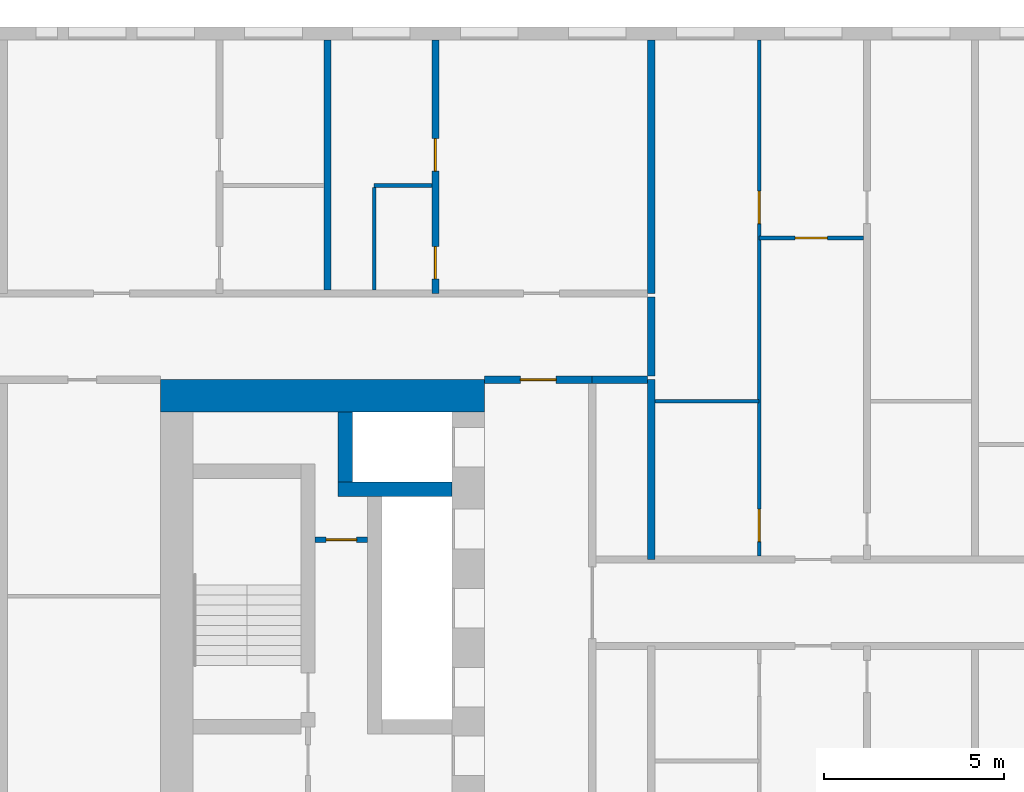
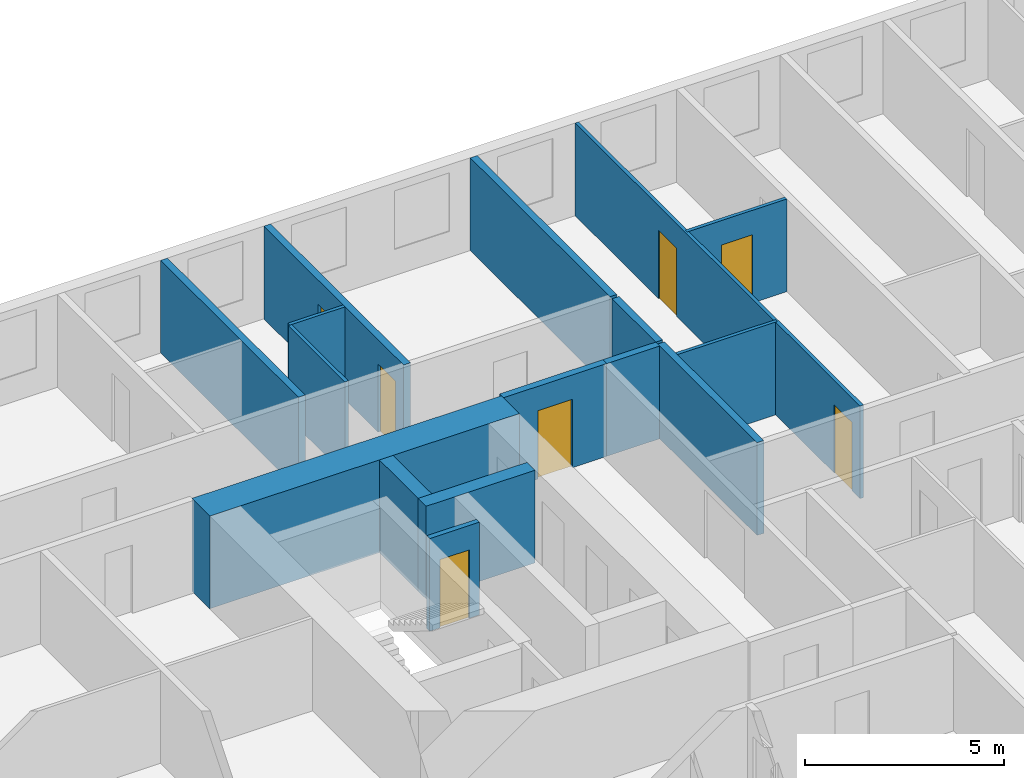
# One storey, part 5 of 17: 16 walls, 7 doors, 7 openings.
"""IFC4 building model written with IfcOpenShell, lengths in metres."""

from ifc_helpers import new_model, si_unit, direction, frame, frame_2d, origin, place, context, subcontext, project, spatial, rectangle, extrude, material, layer, layer_set, type_object, element, fill, save


model = new_model("IFC4")

# Units and contexts
model_context = context("Model", 3, precision=1e-05, world=origin(), true_north=direction((0.0, 1.0)))
body_context = subcontext(model_context, "Body", "Model", "MODEL_VIEW")
ifc_project = project(units=[si_unit("LENGTHUNIT", "METRE"), si_unit("AREAUNIT", "SQUARE_METRE"), si_unit("VOLUMEUNIT", "CUBIC_METRE"), si_unit("PLANEANGLEUNIT", "RADIAN"), si_unit("MASSUNIT", "GRAM", prefix="KILO")], contexts=[model_context])

# Site, building, storey
site_placement = place(None, origin())
site = spatial("IfcSite", under=ifc_project, at=site_placement, CompositionType="ELEMENT")
building_placement = place(site_placement, origin())
building = spatial("IfcBuilding", under=site, at=building_placement, Name="Tuart Gate Housing", CompositionType="ELEMENT")
storey_placement = place(building_placement, frame((0.0, 0.0, 22.60009765625)))
storey = spatial("IfcBuildingStorey", under=building, at=storey_placement, Name="L05", CompositionType="ELEMENT", Elevation=22.60009765625)

# Wall, opening, door
ifc_material_1 = material(Name="Plasterboard partition")
ifc_layer_1 = layer(ifc_material_1, 0.14990234375)
ifc_layer_set_1 = layer_set([ifc_layer_1], Name="Core partition 150")
wall_type_1 = type_object("IfcWallType", Name="Core partition 150", PredefinedType="PARTITIONING", material=ifc_layer_set_1)
wall_1_placement = place(storey_placement, frame((38.110107421875, 71.75, 0.0), z_axis=(0.0, 0.0, 1.0), x_axis=(-1.0, 0.0, 0.0)))
wall_1 = element("IfcWall", 1, at=wall_1_placement, inside=storey, type_object=wall_type_1, Name="Core partition AK.3", PredefinedType="PARTITIONING", context=body_context, shape_type="SweptSolid", body=[
    extrude(rectangle(XDim=1.4501953125, YDim=0.14990234375, at=frame_2d((0.72509765625, 0.0))), origin(), (0.0, 0.0, 1.0), 2.849853515625),
])
opening_1_placement = place(wall_1_placement, frame((0.300048828125, 0.0, 0.0)))
opening_1 = element("IfcOpeningElement", 2, at=opening_1_placement, cuts=wall_1, Name="Opening D369", PredefinedType="OPENING", context=body_context, shape_type="SweptSolid", body=[
    extrude(rectangle(XDim=0.85009765625, YDim=2.10009765625, at=frame_2d((0.425048828125, 1.050048828125))), frame((0.0, 0.0849609375, 0.0), z_axis=(0.0, -1.0, 0.0), x_axis=(1.0, 0.0, 0.0)), (0.0, 0.0, 1.0), 0.169921875),
])
ifc_material_2 = material(Name="Steel fire door", Category="steel")
door_type_1 = type_object("IfcDoorType", Name="Riser door 850 x 2100 RH", OperationType="SINGLE_SWING_RIGHT", PredefinedType="DOOR", material=ifc_material_2)
door_1_placement = place(opening_1_placement, frame((0.85009765625, 0.0, 0.0), z_axis=(0.0, 0.0, 1.0), x_axis=(-1.0, 0.0, 0.0)))
door_1 = element("IfcDoor", 3, at=door_1_placement, inside=storey, type_object=door_type_1, Name="Service room door AK.E1", OperationType="SINGLE_SWING_RIGHT", OverallHeight=2.10009765625, OverallWidth=0.85009765625, PredefinedType="DOOR", context=body_context, shape_type="SweptSolid", body=[
    extrude(rectangle(XDim=0.85009765625, YDim=2.10009765625, at=frame_2d((0.425048828125, 1.050048828125))), frame((0.0, 0.025146484375, 0.0), z_axis=(0.0, -1.0, 0.0), x_axis=(1.0, 0.0, 0.0)), (0.0, 0.0, 1.0), 0.050048828125),
])
fill(opening_1, door_1)

# Walls
ifc_material_3 = material(Name="Concrete C60", Category="concrete")
ifc_layer_2 = layer(ifc_material_3, 0.39990234375)
ifc_layer_set_2 = layer_set([ifc_layer_2], Name="Core wall 400 C60")
wall_type_2 = type_object("IfcWallType", Name="Core wall 400 C60", PredefinedType="SHEAR", material=ifc_layer_set_2)
wall_2_placement = place(storey_placement, frame((40.4599609375, 73.14990234375, 0.0), z_axis=(0.0, 0.0, 1.0), x_axis=(-1.0, 0.0, 0.0)))
element("IfcWall", 4, at=wall_2_placement, inside=storey, type_object=wall_type_2, Name="Core wall AK.2", PredefinedType="SHEAR", context=body_context, shape_type="SweptSolid", body=[
    extrude(rectangle(XDim=3.169921875, YDim=0.39990234375, at=frame_2d((1.5849609375, 0.0))), origin(), (0.0, 0.0, 1.0), 2.849853515625),
])
wall_3_placement = place(storey_placement, frame((37.489990234375, 75.300048828125, 0.0), z_axis=(0.0, 0.0, 1.0), x_axis=(0.0, -1.0, 0.0)))
element("IfcWall", 5, at=wall_3_placement, inside=storey, type_object=wall_type_2, Name="Core wall AK.7", PredefinedType="SHEAR", context=body_context, shape_type="SweptSolid", body=[
    extrude(rectangle(XDim=1.949951171875, YDim=0.39990234375, at=frame_2d((0.97509765625, 0.0))), origin(), (0.0, 0.0, 1.0), 2.849853515625),
])
ifc_material_4 = material(Name="Concrete C60", Category="concrete")
ifc_layer_3 = layer(ifc_material_4, 0.89990234375)
ifc_layer_set_3 = layer_set([ifc_layer_3], Name="Core wall 900 C60")
wall_type_3 = type_object("IfcWallType", Name="Core wall 900 C60", PredefinedType="SHEAR", material=ifc_layer_set_3)
wall_4_placement = place(storey_placement, frame((41.360107421875, 75.75, 0.0), z_axis=(0.0, 0.0, 1.0), x_axis=(-1.0, 0.0, 0.0)))
element("IfcWall", 6, at=wall_4_placement, inside=storey, type_object=wall_type_3, Name="Core wall AK south", PredefinedType="SHEAR", context=body_context, shape_type="SweptSolid", body=[
    extrude(rectangle(XDim=9.0, YDim=0.89990234375, at=frame_2d((4.5, 0.0))), origin(), (0.0, 0.0, 1.0), 2.849853515625),
])
ifc_material_5 = material(Name="Concrete masonry 15 MPa", Category="masonry")
ifc_layer_4 = layer(ifc_material_5, 0.199951171875)
ifc_layer_set_4 = layer_set([ifc_layer_4], Name="Corridor wall masonry 200")
wall_type_4 = type_object("IfcWallType", Name="Corridor wall masonry 200", PredefinedType="PARTITIONING", material=ifc_layer_set_4)
wall_5_placement = place(storey_placement, frame((44.360107421875, 76.199951171875, 0.0), z_axis=(0.0, 0.0, 1.0), x_axis=(1.0, 0.0, 0.0)))
element("IfcWall", 7, at=wall_5_placement, inside=storey, type_object=wall_type_4, Name="Corridor wall masonry 200", PredefinedType="PARTITIONING", context=body_context, shape_type="SweptSolid", body=[
    extrude(rectangle(XDim=1.539794921875, YDim=0.199951171875, at=frame_2d((0.77001953125, 0.0))), origin(), (0.0, 0.0, 1.0), 2.849853515625),
])
wall_6_placement = place(storey_placement, frame((46.0, 76.300048828125, 0.0), z_axis=(0.0, 0.0, 1.0), x_axis=(0.0, 1.0, 0.0)))
element("IfcWall", 8, at=wall_6_placement, inside=storey, type_object=wall_type_4, Name="Corridor wall masonry 200", PredefinedType="PARTITIONING", context=body_context, shape_type="SweptSolid", body=[
    extrude(rectangle(XDim=2.199951171875, YDim=0.199951171875, at=frame_2d((1.10009765625, 0.0))), origin(), (0.0, 0.0, 1.0), 2.849853515625),
])

# Wall, opening, door
ifc_material_6 = material(Name="Concrete masonry 15 MPa", Category="masonry")
ifc_layer_5 = layer(ifc_material_6, 0.199951171875)
ifc_layer_set_5 = layer_set([ifc_layer_5], Name="Enclosure wall masonry 200")
wall_type_5 = type_object("IfcWallType", Name="Enclosure wall masonry 200", PredefinedType="PARTITIONING", material=ifc_layer_set_5)
wall_7_placement = place(storey_placement, frame((41.360107421875, 76.199951171875, 0.0), z_axis=(0.0, 0.0, 1.0), x_axis=(1.0, 0.0, 0.0)))
wall_7 = element("IfcWall", 9, at=wall_7_placement, inside=storey, type_object=wall_type_5, Name="Enclosure wall masonry 200", PredefinedType="PARTITIONING", context=body_context, shape_type="SweptSolid", body=[
    extrude(rectangle(XDim=3.0, YDim=0.199951171875, at=frame_2d((1.5, 0.0))), origin(), (0.0, 0.0, 1.0), 2.849853515625),
])
opening_2_placement = place(wall_7_placement, frame((1.0, 0.0, 0.0)))
opening_2 = element("IfcOpeningElement", 10, at=opening_2_placement, cuts=wall_7, Name="Opening D366", PredefinedType="OPENING", context=body_context, shape_type="SweptSolid", body=[
    extrude(rectangle(XDim=1.0, YDim=2.10009765625, at=frame_2d((0.5, 1.050048828125))), frame((0.0, 0.10986328125, 0.0), z_axis=(0.0, -1.0, 0.0), x_axis=(1.0, 0.0, 0.0)), (0.0, 0.0, 1.0), 0.219970703125),
])
ifc_material_7 = material(Name="Timber door leaf in steel frame", Category="steel")
door_type_2 = type_object("IfcDoorType", Name="Fire door 1000 RH", OperationType="SINGLE_SWING_RIGHT", PredefinedType="DOOR", material=ifc_material_7)
door_2_placement = place(opening_2_placement, origin())
door_2 = element("IfcDoor", 11, at=door_2_placement, inside=storey, type_object=door_type_2, Name="Fire door", OperationType="SINGLE_SWING_RIGHT", OverallHeight=2.10009765625, OverallWidth=1.0, PredefinedType="DOOR", context=body_context, shape_type="SweptSolid", body=[
    extrude(rectangle(XDim=1.0, YDim=2.10009765625, at=frame_2d((0.5, 1.050048828125))), frame((0.0, 0.02490234375, 0.0), z_axis=(0.0, -1.0, 0.0), x_axis=(1.0, 0.0, 0.0)), (0.0, 0.0, 1.0), 0.050048828125),
])
fill(opening_2, door_2)

# Wall
ifc_material_8 = material(Name="Gypsum board on steel studs", Category="steel")
ifc_layer_6 = layer(ifc_material_8, 0.10009765625)
ifc_layer_set_6 = layer_set([ifc_layer_6], Name="Partition 100")
wall_type_6 = type_object("IfcWallType", Name="Partition 100", PredefinedType="PARTITIONING", material=ifc_layer_set_6)
wall_8_placement = place(storey_placement, frame((46.10009765625, 75.60009765625, 0.0), z_axis=(0.0, 0.0, 1.0), x_axis=(1.0, 0.0, 0.0)))
element("IfcWall", 12, at=wall_8_placement, inside=storey, type_object=wall_type_6, Name="Partition 100", PredefinedType="PARTITIONING", context=body_context, shape_type="SweptSolid", body=[
    extrude(rectangle(XDim=2.89990234375, YDim=0.10009765625, at=frame_2d((1.449951171875, 0.0))), origin(), (0.0, 0.0, 1.0), 2.849853515625),
])

# Wall, opening, door
wall_9_placement = place(storey_placement, frame((49.0, 80.139892578125, 0.0), z_axis=(0.0, 0.0, 1.0), x_axis=(1.0, 0.0, 0.0)))
wall_9 = element("IfcWall", 13, at=wall_9_placement, inside=storey, type_object=wall_type_6, Name="Partition 100", PredefinedType="PARTITIONING", context=body_context, shape_type="SweptSolid", body=[
    extrude(rectangle(XDim=2.89990234375, YDim=0.10009765625, at=frame_2d((1.449951171875, 0.0))), origin(), (0.0, 0.0, 1.0), 2.849853515625),
])
opening_3_placement = place(wall_9_placement, frame((1.0, 0.0, 0.0)))
opening_3 = element("IfcOpeningElement", 14, at=opening_3_placement, cuts=wall_9, Name="Opening D349", PredefinedType="OPENING", context=body_context, shape_type="SweptSolid", body=[
    extrude(rectangle(XDim=0.89990234375, YDim=2.10009765625, at=frame_2d((0.449951171875, 1.050048828125))), frame((0.0, 0.06005859375, 0.0), z_axis=(0.0, -1.0, 0.0), x_axis=(1.0, 0.0, 0.0)), (0.0, 0.0, 1.0), 0.1201171875),
])
ifc_material_9 = material(Name="Timber door leaf in steel frame", Category="steel")
door_type_3 = type_object("IfcDoorType", Name="Internal door 900 RH", OperationType="SINGLE_SWING_RIGHT", PredefinedType="DOOR", material=ifc_material_9)
door_3_placement = place(opening_3_placement, frame((0.89990234375, 0.0, 0.0), z_axis=(0.0, 0.0, 1.0), x_axis=(-1.0, 0.0, 0.0)))
door_3 = element("IfcDoor", 15, at=door_3_placement, inside=storey, type_object=door_type_3, Name="Internal door", OperationType="SINGLE_SWING_RIGHT", OverallHeight=2.10009765625, OverallWidth=0.89990234375, PredefinedType="DOOR", context=body_context, shape_type="SweptSolid", body=[
    extrude(rectangle(XDim=0.89990234375, YDim=2.10009765625, at=frame_2d((0.449951171875, 1.050048828125))), frame((0.0, 0.025146484375, 0.0), z_axis=(0.0, -1.0, 0.0), x_axis=(1.0, 0.0, 0.0)), (0.0, 0.0, 1.0), 0.050048828125),
])
fill(opening_3, door_3)

# Walls
wall_10_placement = place(storey_placement, frame((38.300048828125, 81.60009765625, 0.0), z_axis=(0.0, 0.0, 1.0), x_axis=(1.0, 0.0, 0.0)))
element("IfcWall", 16, at=wall_10_placement, inside=storey, type_object=wall_type_6, Name="Partition 100", PredefinedType="PARTITIONING", context=body_context, shape_type="SweptSolid", body=[
    extrude(rectangle(XDim=1.599853515625, YDim=0.10009765625, at=frame_2d((0.7998046875, 0.0))), origin(), (0.0, 0.0, 1.0), 2.849853515625),
])
wall_11_placement = place(storey_placement, frame((38.300048828125, 78.699951171875, 0.0), z_axis=(0.0, 0.0, 1.0), x_axis=(0.0, 1.0, 0.0)))
element("IfcWall", 17, at=wall_11_placement, inside=storey, type_object=wall_type_6, Name="Partition 100", PredefinedType="PARTITIONING", context=body_context, shape_type="SweptSolid", body=[
    extrude(rectangle(XDim=2.85009765625, YDim=0.10009765625, at=frame_2d((1.425048828125, 0.0))), origin(), (0.0, 0.0, 1.0), 2.849853515625),
])

# Wall, openings, doors
wall_12_placement = place(storey_placement, frame((49.0, 71.300048828125, 0.0), z_axis=(0.0, 0.0, 1.0), x_axis=(0.0, 1.0, 0.0)))
wall_12 = element("IfcWall", 18, at=wall_12_placement, inside=storey, type_object=wall_type_6, Name="Partition 100", PredefinedType="PARTITIONING", context=body_context, shape_type="SweptSolid", body=[
    extrude(rectangle(XDim=14.33984375, YDim=0.10009765625, at=frame_2d((7.169921875, 0.0))), origin(), (0.0, 0.0, 1.0), 2.849853515625),
])
opening_4_placement = place(wall_12_placement, frame((9.239990234375, 0.0, 0.0)))
opening_4 = element("IfcOpeningElement", 19, at=opening_4_placement, cuts=wall_12, Name="Opening D358", PredefinedType="OPENING", context=body_context, shape_type="SweptSolid", body=[
    extrude(rectangle(XDim=0.89990234375, YDim=2.10009765625, at=frame_2d((0.449951171875, 1.050048828125))), frame((0.0, 0.06005859375, 0.0), z_axis=(0.0, -1.0, 0.0), x_axis=(1.0, 0.0, 0.0)), (0.0, 0.0, 1.0), 0.1201171875),
])
opening_5_placement = place(wall_12_placement, frame((0.39990234375, 0.0, 0.0)))
opening_5 = element("IfcOpeningElement", 20, at=opening_5_placement, cuts=wall_12, Name="Opening D357", PredefinedType="OPENING", context=body_context, shape_type="SweptSolid", body=[
    extrude(rectangle(XDim=0.89990234375, YDim=2.10009765625, at=frame_2d((0.449951171875, 1.050048828125))), frame((0.0, 0.06005859375, 0.0), z_axis=(0.0, -1.0, 0.0), x_axis=(1.0, 0.0, 0.0)), (0.0, 0.0, 1.0), 0.1201171875),
])
ifc_material_10 = material(Name="Timber door leaf in steel frame", Category="steel")
door_type_4 = type_object("IfcDoorType", Name="Bathroom door 900", OperationType="SINGLE_SWING_LEFT", PredefinedType="DOOR", material=ifc_material_10)
door_4_placement = place(opening_5_placement, origin())
door_4 = element("IfcDoor", 21, at=door_4_placement, inside=storey, type_object=door_type_4, Name="Bathroom door", OperationType="SINGLE_SWING_LEFT", OverallHeight=2.10009765625, OverallWidth=0.89990234375, PredefinedType="DOOR", context=body_context, shape_type="SweptSolid", body=[
    extrude(rectangle(XDim=0.89990234375, YDim=2.10009765625, at=frame_2d((0.449951171875, 1.050048828125))), frame((0.0, 0.02490234375, 0.0), z_axis=(0.0, -1.0, 0.0), x_axis=(1.0, 0.0, 0.0)), (0.0, 0.0, 1.0), 0.050048828125),
])
fill(opening_5, door_4)
door_5_placement = place(opening_4_placement, origin())
door_5 = element("IfcDoor", 22, at=door_5_placement, inside=storey, type_object=door_type_3, Name="Internal door", OperationType="SINGLE_SWING_RIGHT", OverallHeight=2.10009765625, OverallWidth=0.89990234375, PredefinedType="DOOR", context=body_context, shape_type="SweptSolid", body=[
    extrude(rectangle(XDim=0.89990234375, YDim=2.10009765625, at=frame_2d((0.449951171875, 1.050048828125))), frame((0.0, 0.02490234375, 0.0), z_axis=(0.0, -1.0, 0.0), x_axis=(1.0, 0.0, 0.0)), (0.0, 0.0, 1.0), 0.050048828125),
])
fill(opening_4, door_5)

ifc_material_11 = material(Name="Concrete C40", Category="concrete")
ifc_layer_7 = layer(ifc_material_11, 0.199951171875)
ifc_layer_set_7 = layer_set([ifc_layer_7], Name="Party wall concrete C40 200")
wall_type_7 = type_object("IfcWallType", Name="Party wall concrete C40 200", PredefinedType="SOLIDWALL", material=ifc_layer_set_7)
wall_13_placement = place(storey_placement, frame((40.0, 78.60009765625, 0.0), z_axis=(0.0, 0.0, 1.0), x_axis=(0.0, 1.0, 0.0)))
wall_13 = element("IfcWall", 23, at=wall_13_placement, inside=storey, type_object=wall_type_7, Name="Party wall concrete C40 200", PredefinedType="SOLIDWALL", context=body_context, shape_type="SweptSolid", body=[
    extrude(rectangle(XDim=7.039794921875, YDim=0.199951171875, at=frame_2d((3.52001953125, 0.0))), origin(), (0.0, 0.0, 1.0), 2.849853515625),
])
opening_6_placement = place(wall_13_placement, frame((3.39990234375, 0.0, 0.0)))
opening_6 = element("IfcOpeningElement", 24, at=opening_6_placement, cuts=wall_13, Name="Opening D346", PredefinedType="OPENING", context=body_context, shape_type="SweptSolid", body=[
    extrude(rectangle(XDim=0.89990234375, YDim=2.10009765625, at=frame_2d((0.449951171875, 1.050048828125))), frame((0.0, 0.10986328125, 0.0), z_axis=(0.0, -1.0, 0.0), x_axis=(1.0, 0.0, 0.0)), (0.0, 0.0, 1.0), 0.219970703125),
])
opening_7_placement = place(wall_13_placement, frame((0.39990234375, 0.0, 0.0)))
opening_7 = element("IfcOpeningElement", 25, at=opening_7_placement, cuts=wall_13, Name="Opening D345", PredefinedType="OPENING", context=body_context, shape_type="SweptSolid", body=[
    extrude(rectangle(XDim=0.89990234375, YDim=2.10009765625, at=frame_2d((0.449951171875, 1.050048828125))), frame((0.0, 0.10986328125, 0.0), z_axis=(0.0, -1.0, 0.0), x_axis=(1.0, 0.0, 0.0)), (0.0, 0.0, 1.0), 0.219970703125),
])
door_6_placement = place(opening_7_placement, origin())
door_6 = element("IfcDoor", 26, at=door_6_placement, inside=storey, type_object=door_type_4, Name="Bathroom door", OperationType="SINGLE_SWING_LEFT", OverallHeight=2.10009765625, OverallWidth=0.89990234375, PredefinedType="DOOR", context=body_context, shape_type="SweptSolid", body=[
    extrude(rectangle(XDim=0.89990234375, YDim=2.10009765625, at=frame_2d((0.449951171875, 1.050048828125))), frame((0.0, 0.02490234375, 0.0), z_axis=(0.0, -1.0, 0.0), x_axis=(1.0, 0.0, 0.0)), (0.0, 0.0, 1.0), 0.050048828125),
])
fill(opening_7, door_6)
ifc_material_12 = material(Name="Timber door leaf in steel frame", Category="steel")
door_type_5 = type_object("IfcDoorType", Name="Internal door 900", OperationType="SINGLE_SWING_LEFT", PredefinedType="DOOR", material=ifc_material_12)
door_7_placement = place(opening_6_placement, origin())
door_7 = element("IfcDoor", 27, at=door_7_placement, inside=storey, type_object=door_type_5, Name="Internal door", OperationType="SINGLE_SWING_LEFT", OverallHeight=2.10009765625, OverallWidth=0.89990234375, PredefinedType="DOOR", context=body_context, shape_type="SweptSolid", body=[
    extrude(rectangle(XDim=0.89990234375, YDim=2.10009765625, at=frame_2d((0.449951171875, 1.050048828125))), frame((0.0, 0.02490234375, 0.0), z_axis=(0.0, -1.0, 0.0), x_axis=(1.0, 0.0, 0.0)), (0.0, 0.0, 1.0), 0.050048828125),
])
fill(opening_6, door_7)

# Walls
wall_14_placement = place(storey_placement, frame((46.0, 71.199951171875, 0.0), z_axis=(0.0, 0.0, 1.0), x_axis=(0.0, 1.0, 0.0)))
element("IfcWall", 28, at=wall_14_placement, inside=storey, type_object=wall_type_7, Name="Party wall concrete C40 200", PredefinedType="SOLIDWALL", context=body_context, shape_type="SweptSolid", body=[
    extrude(rectangle(XDim=5.0, YDim=0.199951171875, at=frame_2d((2.5, 0.0))), origin(), (0.0, 0.0, 1.0), 2.849853515625),
])
wall_15_placement = place(storey_placement, frame((46.0, 78.60009765625, 0.0), z_axis=(0.0, 0.0, 1.0), x_axis=(0.0, 1.0, 0.0)))
element("IfcWall", 29, at=wall_15_placement, inside=storey, type_object=wall_type_7, Name="Party wall concrete C40 200", PredefinedType="SOLIDWALL", context=body_context, shape_type="SweptSolid", body=[
    extrude(rectangle(XDim=7.039794921875, YDim=0.199951171875, at=frame_2d((3.52001953125, 0.0))), origin(), (0.0, 0.0, 1.0), 2.849853515625),
])
ifc_material_13 = material(Name="Concrete masonry 15 MPa", Category="masonry")
ifc_layer_8 = layer(ifc_material_13, 0.199951171875)
ifc_layer_set_8 = layer_set([ifc_layer_8], Name="Party wall masonry 200")
wall_type_8 = type_object("IfcWallType", Name="Party wall masonry 200", PredefinedType="PARTITIONING", material=ifc_layer_set_8)
wall_16_placement = place(storey_placement, frame((37.0, 78.699951171875, 0.0), z_axis=(0.0, 0.0, 1.0), x_axis=(0.0, 1.0, 0.0)))
element("IfcWall", 30, at=wall_16_placement, inside=storey, type_object=wall_type_8, Name="Party wall masonry 200", PredefinedType="PARTITIONING", context=body_context, shape_type="SweptSolid", body=[
    extrude(rectangle(XDim=6.93994140625, YDim=0.199951171875, at=frame_2d((3.469970703125, 0.0))), origin(), (0.0, 0.0, 1.0), 2.849853515625),
])

save(model, "model.ifc")
